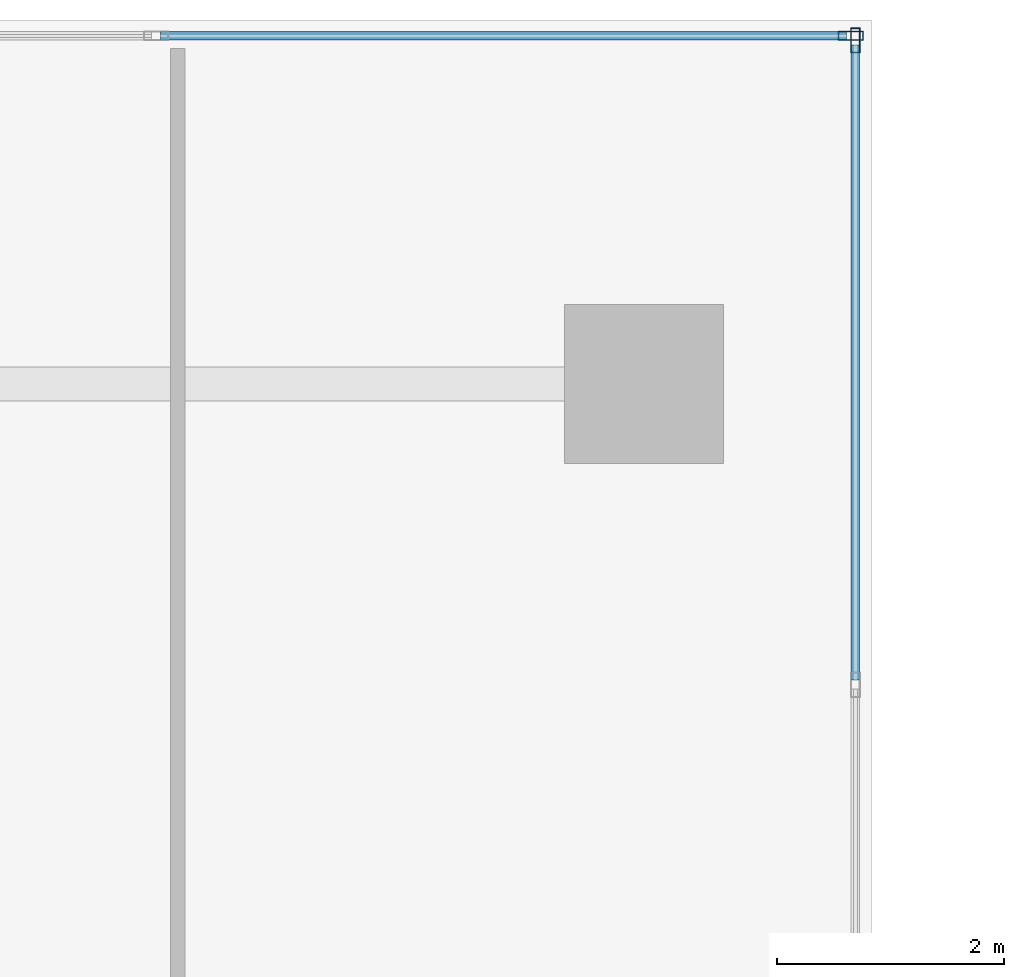
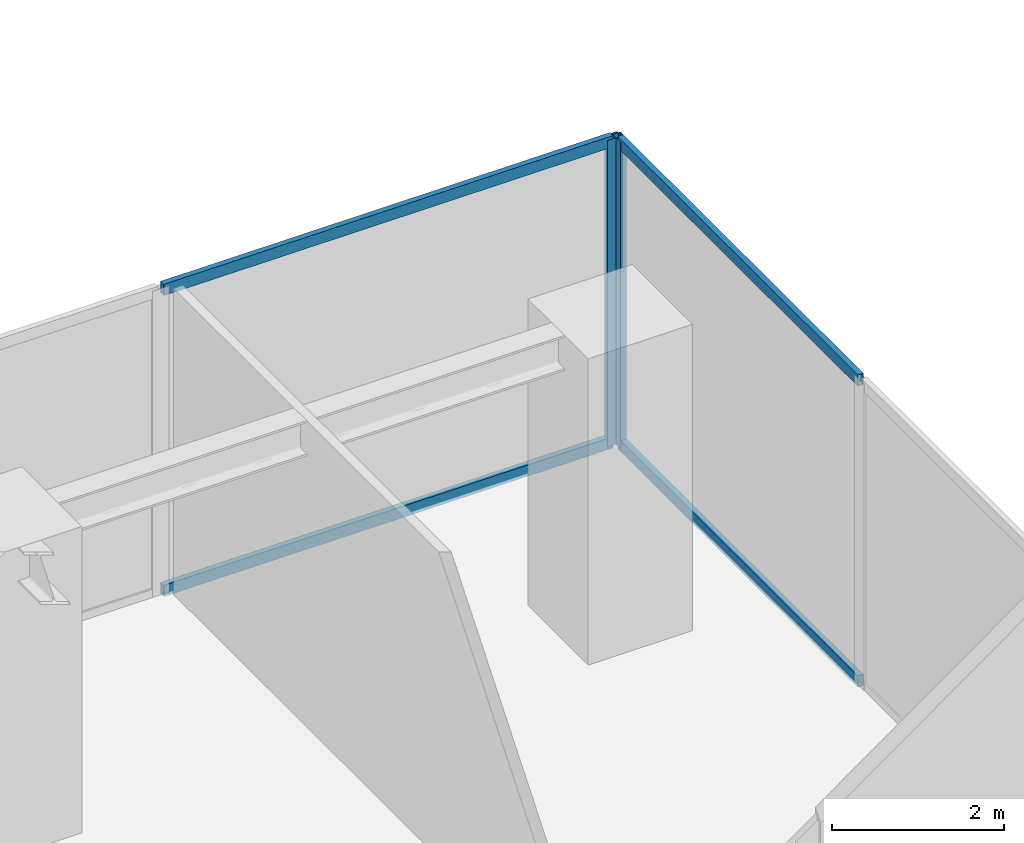
# One storey, part 7 of 18: 6 members, 2 elements without a shape of their own.
"""IFC4 building model written with IfcOpenShell, lengths in metres."""

import ifcopenshell
import ifcopenshell.guid

model = None  # the IFC model being written
_history = None  # IfcOwnerHistory: only IFC2X3 demands one
_inside = {}  # id of a spatial element -> (the spatial element, [elements in it])
_under = {}  # id of a project, library or spatial element -> (it, [spatial elements below it])
_declared = {}  # id of a project -> (the project, [libraries it declares])
_typed = {}  # id of a type object -> (the type object, [elements of that type])
_made_of = {}  # id of a material, layer set ... -> (it, [elements and type objects made of it])


def new_model(schema):
    """Start an empty IFC model of exactly this schema.

    Asked for "IFC4X3", IfcOpenShell would pick the latest addendum, in which some entities
    have other attributes; the version numbers below select the first issue.
    IFC2X3 requires an IfcOwnerHistory on every rooted entity: one is made here for all.
    """
    global model, _history
    if schema == "IFC4X3":
        model = ifcopenshell.file(schema_version=(4, 3, 0, 0))
    else:
        model = ifcopenshell.file(schema=schema)
    _inside.clear()
    _under.clear()
    _declared.clear()
    _typed.clear()
    _made_of.clear()
    _history = None
    if model.schema == "IFC2X3":
        org = make("IfcOrganization", Name="unknown")
        user = make(
            "IfcPersonAndOrganization",
            ThePerson=make("IfcPerson", FamilyName="unknown"),
            TheOrganization=org,
        )
        app = make(
            "IfcApplication",
            ApplicationDeveloper=org,
            Version="unknown",
            ApplicationFullName="unknown",
            ApplicationIdentifier="unknown",
        )
        _history = make(
            "IfcOwnerHistory",
            OwningUser=user,
            OwningApplication=app,
            ChangeAction="ADDED",
            CreationDate=0,
        )
    return model


def make(cls, **values):
    """One entity of the class cls with the attributes given. An attribute that is None is left unset."""
    return model.create_entity(
        cls, **{name: value for name, value in values.items() if value is not None}
    )


def rooted(cls, **values):
    """An entity with a GlobalId (a new one), such as an element, a storey or a relation."""
    return make(cls, GlobalId=ifcopenshell.guid.new(), OwnerHistory=_history, **values)


def si_unit(unit_type, name, prefix=None):
    """IfcSIUnit, for example si_unit("LENGTHUNIT", "METRE", prefix="MILLI")."""
    return make("IfcSIUnit", UnitType=unit_type, Prefix=prefix, Name=name)


def assignment(units):
    """IfcUnitAssignment: the units of a project."""
    return None if units is None else make("IfcUnitAssignment", Units=units)


def point(xyz):
    """IfcCartesianPoint."""
    return None if xyz is None else make("IfcCartesianPoint", Coordinates=xyz)


def direction(xyz):
    """IfcDirection."""
    return None if xyz is None else make("IfcDirection", DirectionRatios=xyz)


def frame(location, z_axis=None, x_axis=None):
    """IfcAxis2Placement3D, a coordinate frame: its origin and axes. An axis left out is left unset."""
    return make(
        "IfcAxis2Placement3D",
        Location=point(location),
        Axis=direction(z_axis),
        RefDirection=direction(x_axis),
    )


def frame_2d(location, x_axis=None):
    """IfcAxis2Placement2D, a coordinate frame in the plane: its origin and x axis."""
    return make(
        "IfcAxis2Placement2D", Location=point(location), RefDirection=direction(x_axis)
    )


def origin():
    """The frame at (0, 0, 0) with its axes left unset."""
    return frame((0.0, 0.0, 0.0))


def origin_with_axes():
    """The frame at (0, 0, 0) with the z axis (0, 0, 1) and the x axis (1, 0, 0) written out."""
    return frame((0.0, 0.0, 0.0), z_axis=(0.0, 0.0, 1.0), x_axis=(1.0, 0.0, 0.0))


def origin_2d():
    """The frame at (0, 0) in the plane with its x axis left unset."""
    return frame_2d((0.0, 0.0))


def place(relative_to, where):
    """IfcLocalPlacement: puts the frame where relative to a parent placement (None: the world)."""
    return make(
        "IfcLocalPlacement", PlacementRelTo=relative_to, RelativePlacement=where
    )


def context(
    kind, dimensions, precision=None, world=None, true_north=None, identifier=None
):
    """IfcGeometricRepresentationContext, for example the 3D "Model" context."""
    return make(
        "IfcGeometricRepresentationContext",
        ContextIdentifier=identifier,
        ContextType=kind,
        CoordinateSpaceDimension=dimensions,
        Precision=precision,
        WorldCoordinateSystem=world,
        TrueNorth=true_north,
    )


def subcontext(parent, identifier, kind, view, scale=None):
    """IfcGeometricRepresentationSubContext, for example "Body" below "Model"."""
    return make(
        "IfcGeometricRepresentationSubContext",
        ContextIdentifier=identifier,
        ContextType=kind,
        ParentContext=parent,
        TargetScale=scale,
        TargetView=view,
    )


def project(units=None, contexts=None):
    """IfcProject with its units and contexts."""
    return rooted(
        "IfcProject",
        Name="project",
        RepresentationContexts=contexts,
        UnitsInContext=assignment(units),
    )


def spatial(cls, under=None, at=None, **own):
    """A site, building, storey or space (cls), placed at a placement, below another one or the project."""
    s = rooted(cls, ObjectPlacement=at, **own)
    if under is not None:
        _under.setdefault(under.id(), (under, []))[1].append(s)
    return s


def profile(cls, at=None, kind="AREA", **sizes):
    """A parametric profile (cls). Its sizes go by their IFC names, for example OverallWidth=200.0."""
    return make(cls, ProfileType=kind, Position=at, **sizes)


def hollow_rectangle(**sizes):
    """IfcRectangleHollowProfileDef."""
    return profile("IfcRectangleHollowProfileDef", **sizes)


def extrude(swept, where, along, depth):
    """IfcExtrudedAreaSolid: the profile swept, set in the frame where, extruded along a direction by depth."""
    return make(
        "IfcExtrudedAreaSolid",
        SweptArea=swept,
        Position=where,
        ExtrudedDirection=direction(along),
        Depth=depth,
    )


def shape(context_of_items, identifier, shape_type, items):
    """IfcShapeRepresentation: the items that make up one representation, for example the "Body"."""
    return make(
        "IfcShapeRepresentation",
        ContextOfItems=context_of_items,
        RepresentationIdentifier=identifier,
        RepresentationType=shape_type,
        Items=items,
    )


def source(mapping_origin, context_of_items, identifier, shape_type, items):
    """IfcRepresentationMap: a shape defined once, which mapped items show again and again."""
    return make(
        "IfcRepresentationMap",
        MappingOrigin=mapping_origin,
        MappedRepresentation=shape(context_of_items, identifier, shape_type, items),
    )


def transform(
    local_origin,
    x_axis=None,
    y_axis=None,
    z_axis=None,
    scale=None,
    scale2=None,
    scale3=None,
    uniform=True,
):
    """IfcCartesianTransformationOperator3D, or its non-uniform kind. x_axis, y_axis, z_axis: its Axis1, 2, 3."""
    if uniform:
        return make(
            "IfcCartesianTransformationOperator3D",
            Axis1=direction(x_axis),
            Axis2=direction(y_axis),
            LocalOrigin=point(local_origin),
            Scale=scale,
            Axis3=direction(z_axis),
        )
    return make(
        "IfcCartesianTransformationOperator3DnonUniform",
        Axis1=direction(x_axis),
        Axis2=direction(y_axis),
        LocalOrigin=point(local_origin),
        Scale=scale,
        Axis3=direction(z_axis),
        Scale2=scale2,
        Scale3=scale3,
    )


def mapped(mapping_source, mapping_target):
    """IfcMappedItem: shows the shape of a source again, moved by a transform."""
    return make(
        "IfcMappedItem", MappingSource=mapping_source, MappingTarget=mapping_target
    )


def material(Name=None, Category=None):
    """IfcMaterial."""
    return make("IfcMaterial", Name=Name, Category=Category)


def layer(
    of_material, thickness, ventilated=None, Name=None, Category=None, Priority=None
):
    """IfcMaterialLayer: one layer of a wall or slab, of a material (None: an air gap)."""
    return make(
        "IfcMaterialLayer",
        Material=of_material,
        LayerThickness=thickness,
        IsVentilated=ventilated,
        Name=Name,
        Category=Category,
        Priority=Priority,
    )


def layer_set(layers, Name=None):
    """IfcMaterialLayerSet."""
    return make("IfcMaterialLayerSet", MaterialLayers=layers, LayerSetName=Name)


def material_profile(
    of_material, cross_section, Name=None, Category=None, Priority=None
):
    """IfcMaterialProfile: a cross section and its material."""
    return make(
        "IfcMaterialProfile",
        Name=Name,
        Material=of_material,
        Profile=cross_section,
        Priority=Priority,
        Category=Category,
    )


def profile_set(profiles, Name=None, composite=None):
    """IfcMaterialProfileSet."""
    return make(
        "IfcMaterialProfileSet",
        Name=Name,
        MaterialProfiles=profiles,
        CompositeProfile=composite,
    )


def made_of(thing, what):
    """Note that an element or type object is made of a material, layer set ...; save() writes the relation."""
    if what is not None:
        _made_of.setdefault(what.id(), (what, []))[1].append(thing)
    return thing


def type_object(cls, material=None, **own):
    """A type object (cls), such as IfcWallType, which elements share."""
    return made_of(rooted(cls, **own), material)


def element(
    cls,
    number,
    at=None,
    inside=None,
    cuts=None,
    type_object=None,
    material=None,
    context=None,
    identifier="Body",
    shape_type=None,
    held_by="IfcProductDefinitionShape",
    body=None,
    shapes=None,
    **own,
):
    """One element of the class cls, such as IfcWall. Its Tag is "e" and its number.

    at: its placement. inside: the storey or other place that contains it. cuts: it is an
    opening in that element (IfcRelVoidsElement). A single representation is given by context,
    identifier, shape_type and body (its items); several are given by shapes. held_by: the class
    of the entity that holds the representations. save() writes the other relations.
    """
    e = rooted(cls, Tag="e%d" % number, ObjectPlacement=at, **own)
    if body is not None:
        shapes = [shape(context, identifier, shape_type, body)]
    if shapes is not None:
        e.Representation = make(held_by, Representations=shapes)
    if inside is not None:
        _inside.setdefault(inside.id(), (inside, []))[1].append(e)
    if cuts is not None:
        rooted(
            "IfcRelVoidsElement", RelatingBuildingElement=cuts, RelatedOpeningElement=e
        )
    if type_object is not None:
        _typed.setdefault(type_object.id(), (type_object, []))[1].append(e)
    return made_of(e, material)


def aggregate(whole, parts):
    """IfcRelAggregates: a whole, such as a stair, and the parts it consists of."""
    return rooted("IfcRelAggregates", RelatingObject=whole, RelatedObjects=parts)


def save(model, path):
    """Write the relations noted so far, then the file.

    IfcRelAggregates (storeys below a building ...), IfcRelContainedInSpatialStructure (elements
    in a storey), IfcRelDefinesByType, IfcRelAssociatesMaterial and IfcRelDeclares: one each for
    every whole, place, type object, material and project.
    """
    for whole, parts in _under.values():
        aggregate(whole, parts)
    for where, things in _inside.values():
        rooted(
            "IfcRelContainedInSpatialStructure",
            RelatedElements=things,
            RelatingStructure=where,
        )
    for kind, things in _typed.values():
        rooted("IfcRelDefinesByType", RelatedObjects=things, RelatingType=kind)
    for what, things in _made_of.values():
        rooted("IfcRelAssociatesMaterial", RelatedObjects=things, RelatingMaterial=what)
    for by, libraries in _declared.values():
        rooted("IfcRelDeclares", RelatingContext=by, RelatedDefinitions=libraries)
    model.write(path)


model = new_model("IFC4")

# Units and contexts
model_context = context("Model", 3, precision=1e-05, world=origin(), true_north=direction((0.0, 1.0)))
body_context = subcontext(model_context, "Body", "Model", "MODEL_VIEW")
ifc_project = project(units=[si_unit("LENGTHUNIT", "METRE"), si_unit("AREAUNIT", "SQUARE_METRE"), si_unit("VOLUMEUNIT", "CUBIC_METRE"), si_unit("PLANEANGLEUNIT", "RADIAN"), si_unit("MASSUNIT", "GRAM", prefix="KILO")], contexts=[model_context])

# Site, building, storey
site_placement = place(None, origin())
site = spatial("IfcSite", under=ifc_project, at=site_placement, CompositionType="ELEMENT")
building_placement = place(site_placement, origin())
building = spatial("IfcBuilding", under=site, at=building_placement, Name="Kolvaren Waterfront Exchange", CompositionType="ELEMENT")
storey_placement = place(building_placement, frame((0.0, 0.0, 24.800048828125)))
storey = spatial("IfcBuildingStorey", under=building, at=storey_placement, Name="L06", CompositionType="ELEMENT", Elevation=24.800048828125)

# Curtain wall, members
ifc_material_1 = material(Name="Anodised bronze aluminium 6063-T6", Category="aluminium")
ifc_layer_1 = layer(ifc_material_1, 0.219970703125, Name="Anodised bronze aluminium 6063-T6")
ifc_layer_set_1 = layer_set([ifc_layer_1], Name="Anodised bronze aluminium 6063-T6")
curtain_wall_type_1 = type_object("IfcCurtainWallType", Name="ARC-CW-SYS4", PredefinedType="USERDEFINED", material=ifc_layer_set_1)
curtain_wall_1_placement = place(storey_placement, origin())
curtain_wall_1 = element("IfcCurtainWall", 1, at=curtain_wall_1_placement, inside=storey, type_object=curtain_wall_type_1, Name="L06 stick curtain wall CW4 (CW-L06-N1)", ObjectType="STICK CURTAIN WALL", PredefinedType="USERDEFINED")
ifc_material_2 = material(Name="Anodised aluminium 6063-T6", Category="aluminium")
ifc_material_profile_1 = material_profile(ifc_material_2, hollow_rectangle(XDim=0.074951171875, YDim=0.159912109375, WallThickness=0.00439453125, at=origin_2d()), Name="ALU-TRN-160x75x4.5")
ifc_profile_set_1 = profile_set([ifc_material_profile_1], Name="Anodised aluminium 6063-T6")
member_type_1 = type_object("IfcMemberType", Name="ARC-CWT-160", PredefinedType="USERDEFINED", material=ifc_profile_set_1)
shared_shape_1 = source(origin_with_axes(), body_context, "Body", "SweptSolid", [
    extrude(hollow_rectangle(XDim=0.074951171875, YDim=0.159912109375, WallThickness=0.00439453125, at=origin_2d()), origin(), (0.0, 0.0, 1.0), 5.5849609375),
])
member_1_placement = place(storey_placement, frame((37.260009765625, 45.39501953125, 0.037353515625), z_axis=(0.0, 1.0, 0.0), x_axis=(-1.0, 0.0, 0.0)))
member_1 = element("IfcMember", 2, at=member_1_placement, type_object=member_type_1, Name="CW4 transom 2.1", ObjectType="TRANSOM", PredefinedType="USERDEFINED", context=body_context, shape_type="MappedRepresentation", body=[
    mapped(shared_shape_1, transform((0.0, 0.0, 0.0), x_axis=(1.0, 0.0, 0.0), y_axis=(0.0, 1.0, 0.0), z_axis=(0.0, 0.0, 1.0), scale=1.0)),
])
member_2_placement = place(storey_placement, frame((37.260009765625, 45.39501953125, 4.3125), z_axis=(0.0, 1.0, 0.0), x_axis=(-1.0, 0.0, 0.0)))
member_2 = element("IfcMember", 3, at=member_2_placement, type_object=member_type_1, Name="CW4 transom 2.2", ObjectType="TRANSOM", PredefinedType="USERDEFINED", context=body_context, shape_type="MappedRepresentation", body=[
    mapped(shared_shape_1, transform((0.0, 0.0, 0.0), x_axis=(1.0, 0.0, 0.0), y_axis=(0.0, 1.0, 0.0), z_axis=(0.0, 0.0, 1.0), scale=1.0)),
])

ifc_layer_2 = layer(ifc_material_1, 0.219970703125, Name="Anodised bronze aluminium 6063-T6")
ifc_layer_set_2 = layer_set([ifc_layer_2], Name="Anodised bronze aluminium 6063-T6")
curtain_wall_type_2 = type_object("IfcCurtainWallType", Name="ARC-CW-SYS1", PredefinedType="USERDEFINED", material=ifc_layer_set_2)
curtain_wall_2_placement = place(storey_placement, origin())
curtain_wall_2 = element("IfcCurtainWall", 4, at=curtain_wall_2_placement, inside=storey, type_object=curtain_wall_type_2, Name="L06 stick curtain wall CW1 (CW-L06-N2)", ObjectType="STICK CURTAIN WALL", PredefinedType="USERDEFINED")
shared_shape_2 = source(origin_with_axes(), body_context, "Body", "SweptSolid", [
    extrude(hollow_rectangle(XDim=0.074951171875, YDim=0.159912109375, WallThickness=0.00439453125, at=origin_2d()), origin(), (0.0, 0.0, 1.0), 6.031494140625),
])
member_3_placement = place(storey_placement, frame((37.179931640625, 51.06005859375, 0.037353515625), z_axis=(-1.0, 0.0, 0.0), x_axis=(0.0, -1.0, 0.0)))
member_3 = element("IfcMember", 5, at=member_3_placement, type_object=member_type_1, Name="CW1 transom 1.1", ObjectType="TRANSOM", PredefinedType="USERDEFINED", context=body_context, shape_type="MappedRepresentation", body=[
    mapped(shared_shape_2, transform((0.0, 0.0, 0.0), x_axis=(1.0, 0.0, 0.0), y_axis=(0.0, 1.0, 0.0), z_axis=(0.0, 0.0, 1.0), scale=1.0)),
])
member_4_placement = place(storey_placement, frame((37.179931640625, 51.06005859375, 4.3125), z_axis=(-1.0, 0.0, 0.0), x_axis=(0.0, -1.0, 0.0)))
member_4 = element("IfcMember", 6, at=member_4_placement, type_object=member_type_1, Name="CW1 transom 1.2", ObjectType="TRANSOM", PredefinedType="USERDEFINED", context=body_context, shape_type="MappedRepresentation", body=[
    mapped(shared_shape_2, transform((0.0, 0.0, 0.0), x_axis=(1.0, 0.0, 0.0), y_axis=(0.0, 1.0, 0.0), z_axis=(0.0, 0.0, 1.0), scale=1.0)),
])

# Member
ifc_material_profile_2 = material_profile(ifc_material_2, hollow_rectangle(XDim=0.080078125, YDim=0.219970703125, WallThickness=0.0048828125, at=origin_2d()), Name="ALU-MUL-220x80x5")
ifc_profile_set_2 = profile_set([ifc_material_profile_2], Name="Anodised aluminium 6063-T6")
member_type_2 = type_object("IfcMemberType", Name="ARC-CWM-220", PredefinedType="MULLION", material=ifc_profile_set_2)
shared_shape_3 = source(origin_with_axes(), body_context, "Body", "SweptSolid", [
    extrude(hollow_rectangle(XDim=0.080078125, YDim=0.219970703125, WallThickness=0.0048828125, at=origin_2d()), origin(), (0.0, 0.0, 1.0), 4.349853515625),
])
member_5_placement = place(storey_placement, frame((37.260009765625, 51.02001953125, 0.0), z_axis=(0.0, 0.0, 1.0), x_axis=(-1.0, 0.0, 0.0)))
member_5 = element("IfcMember", 7, at=member_5_placement, type_object=member_type_2, Name="CW4 mullion 3", PredefinedType="MULLION", context=body_context, shape_type="MappedRepresentation", body=[
    mapped(shared_shape_3, transform((0.0, 0.0, 0.0), x_axis=(1.0, 0.0, 0.0), y_axis=(0.0, 1.0, 0.0), z_axis=(0.0, 0.0, 1.0), scale=1.0)),
])

aggregate(curtain_wall_1, [member_5, member_1, member_2])

member_6_placement = place(storey_placement, frame((37.219970703125, 51.06005859375, 0.0), z_axis=(0.0, 0.0, 1.0), x_axis=(0.0, -1.0, 0.0)))
member_6 = element("IfcMember", 8, at=member_6_placement, type_object=member_type_2, Name="CW1 mullion 1", PredefinedType="MULLION", context=body_context, shape_type="MappedRepresentation", body=[
    mapped(shared_shape_3, transform((0.0, 0.0, 0.0), x_axis=(1.0, 0.0, 0.0), y_axis=(0.0, 1.0, 0.0), z_axis=(0.0, 0.0, 1.0), scale=1.0)),
])

aggregate(curtain_wall_2, [member_6, member_3, member_4])

save(model, "model.ifc")
